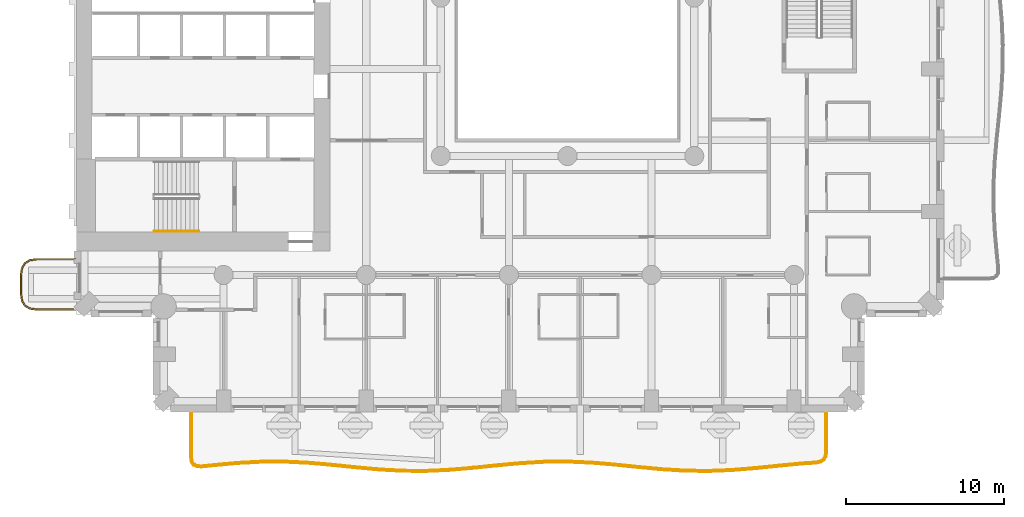
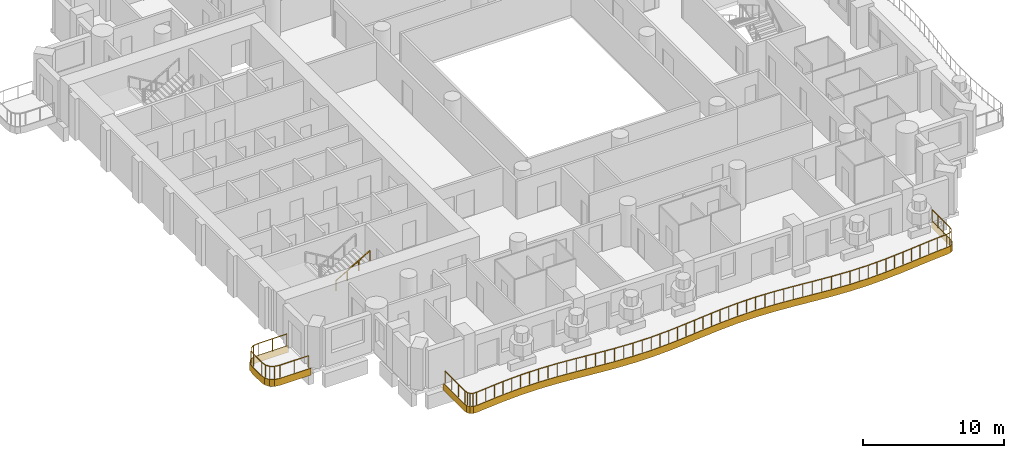
# One storey, part 13 of 20: 3 railings, 2 coverings.
"""IFC4 building model written with IfcOpenShell, lengths in metres."""

from ifc_helpers import new_model, si_unit, direction, frame, origin, origin_2d, place, context, subcontext, project, spatial, polyline, rectangle, outline, extrude, material, layer, layer_set, type_object, element, save


model = new_model("IFC4")

# Units and contexts
model_context = context("Model", 3, precision=1e-05, world=origin(), true_north=direction((0.0, 1.0)))
body_context = subcontext(model_context, "Body", "Model", "MODEL_VIEW")
ifc_project = project(units=[si_unit("LENGTHUNIT", "METRE"), si_unit("AREAUNIT", "SQUARE_METRE"), si_unit("VOLUMEUNIT", "CUBIC_METRE"), si_unit("PLANEANGLEUNIT", "RADIAN"), si_unit("MASSUNIT", "GRAM", prefix="KILO")], contexts=[model_context])

# Site, building, storey
site_placement = place(None, origin())
site = spatial("IfcSite", under=ifc_project, at=site_placement, CompositionType="ELEMENT")
building_placement = place(site_placement, origin())
building = spatial("IfcBuilding", under=site, at=building_placement, Name="Cypress Arch Tower", CompositionType="ELEMENT")
storey_placement = place(building_placement, frame((0.0, 0.0, 80.699951171875)))
storey = spatial("IfcBuildingStorey", under=building, at=storey_placement, Name="L14", CompositionType="ELEMENT", Elevation=80.699951171875)

# Coverings
ifc_material_1 = material(Name="White powder-coated aluminium fascia", Category="aluminium")
ifc_layer = layer(ifc_material_1, 0.050048828125)
ifc_layer_set = layer_set([ifc_layer], Name="Balcony fascia BF50")
covering_type = type_object("IfcCoveringType", Name="Balcony fascia BF50", PredefinedType="CLADDING", material=ifc_layer_set)
covering_1_placement = place(storey_placement, frame((0.0, 0.0, -0.599853515625)))
element("IfcCovering", 1, at=covering_1_placement, inside=storey, type_object=covering_type, Name="Balcony fascia L14-A00W1", PredefinedType="CLADDING", context=body_context, shape_type="SweptSolid", body=[
    extrude(outline(polyline([(-32.503662109375, -19.75), (-32.95458984375, -19.685546875), (-33.286376953125, -19.486328125), (-33.485595703125, -19.154541015625), (-33.550048828125, -18.70361328125), (-33.550048828125, -17.496337890625), (-33.485595703125, -17.04541015625), (-33.286376953125, -16.713623046875), (-32.95458984375, -16.514404296875), (-32.503662109375, -16.449951171875), (-30.0009765625, -16.449951171875), (-30.0009765625, -16.5), (-32.5, -16.5), (-32.9375, -16.5625), (-33.25, -16.75), (-33.4375, -17.0625), (-33.5, -17.5), (-33.5, -18.699951171875), (-33.4375, -19.137451171875), (-33.25, -19.449951171875), (-32.9375, -19.637451171875), (-32.5, -19.699951171875), (-30.0009765625, -19.699951171875), (-30.0009765625, -19.75), (-32.503662109375, -19.75)])), origin(), (0.0, 0.0, 1.0), 0.599853515625),
])
covering_2_placement = place(storey_placement, frame((0.0, 0.0, -0.599853515625)))
element("IfcCovering", 2, at=covering_2_placement, inside=storey, type_object=covering_type, Name="Balcony fascia L14-A03", PredefinedType="CLADDING", context=body_context, shape_type="SweptSolid", body=[
    extrude(outline(polyline([(17.39990234375, -28.65771484375), (17.3564453125, -28.96630859375), (17.220458984375, -29.2021484375), (16.99365234375, -29.352783203125), (16.688232421875, -29.416015625), (15.868896484375, -29.468017578125), (14.384521484375, -29.610107421875), (12.899169921875, -29.7626953125), (11.412353515625, -29.8857421875), (9.9248046875, -29.94677734375), (8.43701171875, -29.9296875), (6.949951171875, -29.8388671875), (5.463623046875, -29.698486328125), (3.978759765625, -29.545654296875), (2.494873046875, -29.419921875), (1.011962890625, -29.354736328125), (-0.470458984375, -29.3671875), (-1.95361328125, -29.45361328125), (-3.437744140625, -29.591796875), (-4.923095703125, -29.745361328125), (-6.40966796875, -29.873779296875), (-7.897216796875, -29.943359375), (-9.384765625, -29.935791015625), (-10.8720703125, -29.85302734375), (-12.358642578125, -29.716796875), (-13.84375, -29.563232421875), (-15.327392578125, -29.432373046875), (-16.810546875, -29.358642578125), (-18.29296875, -29.361572265625), (-19.776123046875, -29.43994140625), (-21.260009765625, -29.57373046875), (-22.080078125, -29.658447265625), (-22.38671875, -29.646240234375), (-22.61767578125, -29.531005859375), (-22.756103515625, -29.313232421875), (-22.800048828125, -29.00927734375), (-22.800048828125, -26.0009765625), (-22.75, -26.0009765625), (-22.75, -29.005859375), (-22.708251953125, -29.29541015625), (-22.5830078125, -29.492431640625), (-22.3740234375, -29.5966796875), (-22.081787109375, -29.6083984375), (-21.264892578125, -29.52392578125), (-19.779541015625, -29.39013671875), (-18.29443359375, -29.3115234375), (-16.809326171875, -29.30859375), (-15.323974609375, -29.382568359375), (-13.8388671875, -29.513427734375), (-12.353759765625, -29.6669921875), (-10.868408203125, -29.80322265625), (-9.38330078125, -29.8857421875), (-7.898193359375, -29.893310546875), (-6.412841796875, -29.82373046875), (-4.927734375, -29.695556640625), (-3.442626953125, -29.5419921875), (-1.95751953125, -29.40380859375), (-0.47216796875, -29.317138671875), (1.012939453125, -29.3046875), (2.498046875, -29.3701171875), (3.9833984375, -29.495849609375), (5.468505859375, -29.64892578125), (6.95361328125, -29.7890625), (8.43896484375, -29.879638671875), (9.924072265625, -29.896728515625), (11.4091796875, -29.835693359375), (12.89453125, -29.712890625), (14.379638671875, -29.560302734375), (15.86474609375, -29.418212890625), (16.681640625, -29.3662109375), (16.97412109375, -29.305908203125), (17.182861328125, -29.1669921875), (17.308349609375, -28.94970703125), (17.35009765625, -28.654052734375), (17.35009765625, -26.0009765625), (17.39990234375, -26.0009765625), (17.39990234375, -28.65771484375)])), origin(), (0.0, 0.0, 1.0), 0.599853515625),
])

# Railings
ifc_material_2 = material(Name="Powder-coated steel posts and rods, 100 mm clear between rods", Category="steel")
railing_type_1 = type_object("IfcRailingType", Name="Balcony guard GR1100", PredefinedType="GUARDRAIL", material=ifc_material_2)
railing_1_placement = place(storey_placement, frame((-30.14990234375, -19.64990234375, 0.0)))
element("IfcRailing", 3, at=railing_1_placement, inside=storey, type_object=railing_type_1, Name="Balcony guard L14-A00W1", PredefinedType="GUARDRAIL", context=body_context, shape_type="SweptSolid", body=[
    extrude(rectangle(XDim=0.050048828125, YDim=0.050048828125, at=origin_2d()), frame((0.0, 0.0, 1.0751953125), z_axis=(-1.0, 0.0, 0.0), x_axis=(0.0, -1.0, 0.0)), (0.0, 0.0, 1.0), 2.346435546875),
    extrude(rectangle(XDim=0.050048828125, YDim=0.050048828125, at=origin_2d()), frame((-2.346435546875, 0.0, 1.0751953125), z_axis=(-0.989960888959, 0.141341566184, 0.0), x_axis=(-0.141341566184, -0.989960888959, 0.0)), (0.0, 0.0, 1.0), 0.428466796875),
    extrude(rectangle(XDim=0.050048828125, YDim=0.050048828125, at=origin_2d()), frame((-2.7705078125, 0.060546875, 1.0751953125), z_axis=(-0.857681904839, 0.514180659021, 0.0), x_axis=(-0.514180659021, -0.857681904839, 0.0)), (0.0, 0.0, 1.0), 0.341796875),
    extrude(rectangle(XDim=0.050048828125, YDim=0.050048828125, at=origin_2d()), frame((-3.063720703125, 0.236328125, 1.0751953125), z_axis=(-0.514180659021, 0.857681904839, 0.0), x_axis=(-0.857681904839, -0.514180659021, 0.0)), (0.0, 0.0, 1.0), 0.341796875),
    extrude(rectangle(XDim=0.050048828125, YDim=0.050048828125, at=origin_2d()), frame((-3.239501953125, 0.529541015625, 1.0751953125), z_axis=(-0.141421356237, 0.989949493661, 0.0), x_axis=(-0.989949493661, -0.141421356237, 0.0)), (0.0, 0.0, 1.0), 0.42822265625),
    extrude(rectangle(XDim=0.050048828125, YDim=0.050048828125, at=origin_2d()), frame((-3.300048828125, 0.953369140625, 1.0751953125), z_axis=(0.0, 1.0, 0.0), x_axis=(-1.0, 0.0, 0.0)), (0.0, 0.0, 1.0), 1.19287109375),
    extrude(rectangle(XDim=0.050048828125, YDim=0.050048828125, at=origin_2d()), frame((-3.300048828125, 2.146240234375, 1.0751953125), z_axis=(0.141341566184, 0.989960888959, 0.0), x_axis=(-0.989960888959, 0.141341566184, 0.0)), (0.0, 0.0, 1.0), 0.428466796875),
    extrude(rectangle(XDim=0.050048828125, YDim=0.050048828125, at=origin_2d()), frame((-3.239501953125, 2.5703125, 1.0751953125), z_axis=(0.514180659021, 0.857681904839, 0.0), x_axis=(-0.857681904839, 0.514180659021, 0.0)), (0.0, 0.0, 1.0), 0.341796875),
    extrude(rectangle(XDim=0.050048828125, YDim=0.050048828125, at=origin_2d()), frame((-3.063720703125, 2.863525390625, 1.0751953125), z_axis=(0.857681904839, 0.514180659021, 0.0), x_axis=(-0.514180659021, 0.857681904839, 0.0)), (0.0, 0.0, 1.0), 0.341796875),
    extrude(rectangle(XDim=0.050048828125, YDim=0.050048828125, at=origin_2d()), frame((-2.7705078125, 3.039306640625, 1.0751953125), z_axis=(0.989960888959, 0.141341566184, 0.0), x_axis=(-0.141341566184, 0.989960888959, 0.0)), (0.0, 0.0, 1.0), 0.428466796875),
    extrude(rectangle(XDim=0.050048828125, YDim=0.050048828125, at=origin_2d()), frame((-2.346435546875, 3.099853515625, 1.0751953125), z_axis=(1.0, 0.0, 0.0), x_axis=(0.0, 1.0, 0.0)), (0.0, 0.0, 1.0), 2.346435546875),
    extrude(rectangle(XDim=0.0400390625, YDim=0.0400390625, at=origin_2d()), origin(), (0.0, 0.0, 1.0), 1.050048828125),
    extrude(rectangle(XDim=0.0400390625, YDim=0.0400390625, at=origin_2d()), frame((-1.17333984375, 0.0, 0.0)), (0.0, 0.0, 1.0), 1.050048828125),
    extrude(rectangle(XDim=0.0400390625, YDim=0.0400390625, at=origin_2d()), frame((-2.346435546875, 0.0, 0.0)), (0.0, 0.0, 1.0), 1.050048828125),
    extrude(rectangle(XDim=0.0400390625, YDim=0.0400390625, at=origin_2d()), frame((-2.7705078125, 0.060546875, 0.0)), (0.0, 0.0, 1.0), 1.050048828125),
    extrude(rectangle(XDim=0.0400390625, YDim=0.0400390625, at=origin_2d()), frame((-3.063720703125, 0.236328125, 0.0)), (0.0, 0.0, 1.0), 1.050048828125),
    extrude(rectangle(XDim=0.0400390625, YDim=0.0400390625, at=origin_2d()), frame((-3.239501953125, 0.529541015625, 0.0)), (0.0, 0.0, 1.0), 1.050048828125),
    extrude(rectangle(XDim=0.0400390625, YDim=0.0400390625, at=origin_2d()), frame((-3.300048828125, 0.953369140625, 0.0)), (0.0, 0.0, 1.0), 1.050048828125),
    extrude(rectangle(XDim=0.0400390625, YDim=0.0400390625, at=origin_2d()), frame((-3.300048828125, 2.146240234375, 0.0)), (0.0, 0.0, 1.0), 1.050048828125),
    extrude(rectangle(XDim=0.0400390625, YDim=0.0400390625, at=origin_2d()), frame((-3.239501953125, 2.5703125, 0.0)), (0.0, 0.0, 1.0), 1.050048828125),
    extrude(rectangle(XDim=0.0400390625, YDim=0.0400390625, at=origin_2d()), frame((-3.063720703125, 2.863525390625, 0.0)), (0.0, 0.0, 1.0), 1.050048828125),
    extrude(rectangle(XDim=0.0400390625, YDim=0.0400390625, at=origin_2d()), frame((-2.7705078125, 3.039306640625, 0.0)), (0.0, 0.0, 1.0), 1.050048828125),
    extrude(rectangle(XDim=0.0400390625, YDim=0.0400390625, at=origin_2d()), frame((-2.346435546875, 3.099853515625, 0.0)), (0.0, 0.0, 1.0), 1.050048828125),
    extrude(rectangle(XDim=0.0400390625, YDim=0.0400390625, at=origin_2d()), frame((-1.17333984375, 3.099853515625, 0.0)), (0.0, 0.0, 1.0), 1.050048828125),
    extrude(rectangle(XDim=0.0400390625, YDim=0.0400390625, at=origin_2d()), frame((0.0, 3.099853515625, 0.0)), (0.0, 0.0, 1.0), 1.050048828125),
])
railing_2_placement = place(storey_placement, frame((17.300048828125, -26.14990234375, 0.0)))
element("IfcRailing", 4, at=railing_2_placement, inside=storey, type_object=railing_type_1, Name="Balcony guard L14-A03", PredefinedType="GUARDRAIL", context=body_context, shape_type="SweptSolid", body=[
    extrude(rectangle(XDim=0.050048828125, YDim=0.050048828125, at=origin_2d()), frame((0.0, 0.0, 1.0751953125), z_axis=(0.0, -1.0, 0.0), x_axis=(1.0, 0.0, 0.0)), (0.0, 0.0, 1.0), 2.500732421875),
    extrude(rectangle(XDim=0.050048828125, YDim=0.050048828125, at=origin_2d()), frame((0.0, -2.500732421875, 1.0751953125), z_axis=(-0.140343027142, -0.990102941483, 0.0), x_axis=(0.990102941483, -0.140343027142, 0.0)), (0.0, 0.0, 1.0), 0.285400390625),
    extrude(rectangle(XDim=0.050048828125, YDim=0.050048828125, at=origin_2d()), frame((-0.0400390625, -2.783203125, 1.0751953125), z_axis=(-0.499230902886, -0.866468987099, 0.0), x_axis=(0.866468987099, -0.499230902886, 0.0)), (0.0, 0.0, 1.0), 0.229248046875),
    extrude(rectangle(XDim=0.050048828125, YDim=0.050048828125, at=origin_2d()), frame((-0.154541015625, -2.98193359375, 1.0751953125), z_axis=(-0.83303104875, -0.553226239272, 0.0), x_axis=(0.553226239272, -0.83303104875, 0.0)), (0.0, 0.0, 1.0), 0.2294921875),
    extrude(rectangle(XDim=0.050048828125, YDim=0.050048828125, at=origin_2d()), frame((-0.345703125, -3.10888671875, 1.0751953125), z_axis=(-0.97920768245, -0.202860332815, 0.0), x_axis=(0.202860332815, -0.97920768245, 0.0)), (0.0, 0.0, 1.0), 0.28515625),
    extrude(rectangle(XDim=0.050048828125, YDim=0.050048828125, at=origin_2d()), frame((-0.625, -3.166748046875, 1.0751953125), z_axis=(-0.997985643799, -0.063440166862, 0.0), x_axis=(0.063440166862, -0.997985643799, 0.0)), (0.0, 0.0, 1.0), 0.81591796875),
    extrude(rectangle(XDim=0.050048828125, YDim=0.050048828125, at=origin_2d()), frame((-1.439208984375, -3.218505859375, 1.0751953125), z_axis=(-0.995460123409, -0.095179528803, 0.0), x_axis=(0.095179528803, -0.995460123409, 0.0)), (0.0, 0.0, 1.0), 1.492919921875),
    extrude(rectangle(XDim=0.050048828125, YDim=0.050048828125, at=origin_2d()), frame((-2.92529296875, -3.360595703125, 1.0751953125), z_axis=(-0.994761413661, -0.102223920345, 0.0), x_axis=(0.102223920345, -0.994761413661, 0.0)), (0.0, 0.0, 1.0), 1.49267578125),
    extrude(rectangle(XDim=0.050048828125, YDim=0.050048828125, at=origin_2d()), frame((-4.41015625, -3.51318359375, 1.0751953125), z_axis=(-0.996591973628, -0.082489018057, 0.0), x_axis=(0.082489018057, -0.996591973628, 0.0)), (0.0, 0.0, 1.0), 1.48876953125),
    extrude(rectangle(XDim=0.050048828125, YDim=0.050048828125, at=origin_2d()), frame((-5.893798828125, -3.635986328125, 1.0751953125), z_axis=(-0.999160787088, -0.040959999339, 0.0), x_axis=(0.040959999339, -0.999160787088, 0.0)), (0.0, 0.0, 1.0), 1.484130859375),
    extrude(rectangle(XDim=0.050048828125, YDim=0.050048828125, at=origin_2d()), frame((-7.376708984375, -3.69677734375, 1.0751953125), z_axis=(-0.999933577342, 0.011525662838, 0.0), x_axis=(-0.011525662838, -0.999933577342, 0.0)), (0.0, 0.0, 1.0), 1.482666015625),
    extrude(rectangle(XDim=0.050048828125, YDim=0.050048828125, at=origin_2d()), frame((-8.859375, -3.6796875, 1.0751953125), z_axis=(-0.998150413324, 0.060792700071, 0.0), x_axis=(-0.060792700071, -0.998150413324, 0.0)), (0.0, 0.0, 1.0), 1.48583984375),
    extrude(rectangle(XDim=0.050048828125, YDim=0.050048828125, at=origin_2d()), frame((-10.342529296875, -3.58935546875, 1.0751953125), z_axis=(-0.995571697848, 0.09400528945, 0.0), x_axis=(-0.09400528945, -0.995571697848, 0.0)), (0.0, 0.0, 1.0), 1.49072265625),
    extrude(rectangle(XDim=0.050048828125, YDim=0.050048828125, at=origin_2d()), frame((-11.82666015625, -3.44921875, 1.0751953125), z_axis=(-0.994731536319, 0.1025142461, 0.0), x_axis=(-0.1025142461, -0.994731536319, 0.0)), (0.0, 0.0, 1.0), 1.4931640625),
    extrude(rectangle(XDim=0.050048828125, YDim=0.050048828125, at=origin_2d()), frame((-13.31201171875, -3.296142578125, 1.0751953125), z_axis=(-0.99642853827, 0.084440322836, 0.0), x_axis=(-0.084440322836, -0.99642853827, 0.0)), (0.0, 0.0, 1.0), 1.491943359375),
    extrude(rectangle(XDim=0.050048828125, YDim=0.050048828125, at=origin_2d()), frame((-14.798583984375, -3.170166015625, 1.0751953125), z_axis=(-0.999041250277, 0.043778764783, 0.0), x_axis=(-0.043778764783, -0.999041250277, 0.0)), (0.0, 0.0, 1.0), 1.489013671875),
    extrude(rectangle(XDim=0.050048828125, YDim=0.050048828125, at=origin_2d()), frame((-16.2861328125, -3.10498046875, 1.0751953125), z_axis=(-0.999966342397, -0.008204515445, 0.0), x_axis=(0.008204515445, -0.999966342397, 0.0)), (0.0, 0.0, 1.0), 1.48779296875),
    extrude(rectangle(XDim=0.050048828125, YDim=0.050048828125, at=origin_2d()), frame((-17.77392578125, -3.1171875, 1.0751953125), z_axis=(-0.998296902003, -0.058337770373, 0.0), x_axis=(0.058337770373, -0.998296902003, 0.0)), (0.0, 0.0, 1.0), 1.48974609375),
    extrude(rectangle(XDim=0.050048828125, YDim=0.050048828125, at=origin_2d()), frame((-19.26123046875, -3.2041015625, 1.0751953125), z_axis=(-0.995706125545, -0.092570576061, 0.0), x_axis=(0.092570576061, -0.995706125545, 0.0)), (0.0, 0.0, 1.0), 1.49267578125),
    extrude(rectangle(XDim=0.050048828125, YDim=0.050048828125, at=origin_2d()), frame((-20.74755859375, -3.34228515625, 1.0751953125), z_axis=(-0.99469640988, -0.10285451945, 0.0), x_axis=(0.10285451945, -0.99469640988, 0.0)), (0.0, 0.0, 1.0), 1.492919921875),
    extrude(rectangle(XDim=0.050048828125, YDim=0.050048828125, at=origin_2d()), frame((-22.232666015625, -3.495849609375, 1.0751953125), z_axis=(-0.996289030279, -0.086070715961, 0.0), x_axis=(0.086070715961, -0.996289030279, 0.0)), (0.0, 0.0, 1.0), 1.4892578125),
    extrude(rectangle(XDim=0.050048828125, YDim=0.050048828125, at=origin_2d()), frame((-23.71630859375, -3.6240234375, 1.0751953125), z_axis=(-0.998901009946, -0.046869737872, 0.0), x_axis=(0.046869737872, -0.998901009946, 0.0)), (0.0, 0.0, 1.0), 1.484619140625),
    extrude(rectangle(XDim=0.050048828125, YDim=0.050048828125, at=origin_2d()), frame((-25.19921875, -3.693603515625, 1.0751953125), z_axis=(-0.999986971982, 0.00510449467, 0.0), x_axis=(-0.00510449467, -0.999986971982, 0.0)), (0.0, 0.0, 1.0), 1.482666015625),
    extrude(rectangle(XDim=0.050048828125, YDim=0.050048828125, at=origin_2d()), frame((-26.681884765625, -3.68603515625, 1.0751953125), z_axis=(-0.998455291152, 0.055561061641, 0.0), x_axis=(-0.055561061641, -0.998455291152, 0.0)), (0.0, 0.0, 1.0), 1.485107421875),
    extrude(rectangle(XDim=0.050048828125, YDim=0.050048828125, at=origin_2d()), frame((-28.164794921875, -3.603515625, 1.0751953125), z_axis=(-0.995828502497, 0.091244690885, 0.0), x_axis=(-0.091244690885, -0.995828502497, 0.0)), (0.0, 0.0, 1.0), 1.490234375),
    extrude(rectangle(XDim=0.050048828125, YDim=0.050048828125, at=origin_2d()), frame((-29.64892578125, -3.467529296875, 1.0751953125), z_axis=(-0.99468140225, 0.102999553487, 0.0), x_axis=(-0.102999553487, -0.99468140225, 0.0)), (0.0, 0.0, 1.0), 1.493408203125),
    extrude(rectangle(XDim=0.050048828125, YDim=0.050048828125, at=origin_2d()), frame((-31.13427734375, -3.313720703125, 1.0751953125), z_axis=(-0.996132377683, 0.087865158807, 0.0), x_axis=(-0.087865158807, -0.996132377683, 0.0)), (0.0, 0.0, 1.0), 1.4921875),
    extrude(rectangle(XDim=0.050048828125, YDim=0.050048828125, at=origin_2d()), frame((-32.62060546875, -3.1826171875, 1.0751953125), z_axis=(-0.998773910322, 0.049504303449, 0.0), x_axis=(-0.049504303449, -0.998773910322, 0.0)), (0.0, 0.0, 1.0), 1.4892578125),
    extrude(rectangle(XDim=0.050048828125, YDim=0.050048828125, at=origin_2d()), frame((-34.108154296875, -3.10888671875, 1.0751953125), z_axis=(-0.999998370894, -0.001805051211, 0.0), x_axis=(0.001805051211, -0.999998370894, 0.0)), (0.0, 0.0, 1.0), 1.48779296875),
    extrude(rectangle(XDim=0.050048828125, YDim=0.050048828125, at=origin_2d()), frame((-35.595947265625, -3.111572265625, 1.0751953125), z_axis=(-0.998606030955, -0.052782524945, 0.0), x_axis=(0.052782524945, -0.998606030955, 0.0)), (0.0, 0.0, 1.0), 1.489501953125),
    extrude(rectangle(XDim=0.050048828125, YDim=0.050048828125, at=origin_2d()), frame((-37.083251953125, -3.190185546875, 1.0751953125), z_axis=(-0.995958649878, -0.089812959721, 0.0), x_axis=(0.089812959721, -0.995958649878, 0.0)), (0.0, 0.0, 1.0), 1.492431640625),
    extrude(rectangle(XDim=0.050048828125, YDim=0.050048828125, at=origin_2d()), frame((-38.569580078125, -3.32421875, 1.0751953125), z_axis=(-0.99468547214, -0.102960242391, 0.0), x_axis=(0.102960242391, -0.99468547214, 0.0)), (0.0, 0.0, 1.0), 0.818115234375),
    extrude(rectangle(XDim=0.050048828125, YDim=0.050048828125, at=origin_2d()), frame((-39.38330078125, -3.408447265625, 1.0751953125), z_axis=(-0.999185469505, 0.040353407899, 0.0), x_axis=(-0.040353407899, -0.999185469505, 0.0)), (0.0, 0.0, 1.0), 0.2783203125),
    extrude(rectangle(XDim=0.050048828125, YDim=0.050048828125, at=origin_2d()), frame((-39.661376953125, -3.397216796875, 1.0751953125), z_axis=(-0.89466096696, 0.44674573775, 0.0), x_axis=(-0.44674573775, -0.89466096696, 0.0)), (0.0, 0.0, 1.0), 0.208740234375),
    extrude(rectangle(XDim=0.050048828125, YDim=0.050048828125, at=origin_2d()), frame((-39.84814453125, -3.303955078125, 1.0751953125), z_axis=(-0.536497284338, 0.843902046388, 0.0), x_axis=(-0.843902046388, -0.536497284338, 0.0)), (0.0, 0.0, 1.0), 0.208984375),
    extrude(rectangle(XDim=0.050048828125, YDim=0.050048828125, at=origin_2d()), frame((-39.960205078125, -3.127685546875, 1.0751953125), z_axis=(-0.143018061021, 0.98972007872, 0.0), x_axis=(-0.98972007872, -0.143018061021, 0.0)), (0.0, 0.0, 1.0), 0.2783203125),
    extrude(rectangle(XDim=0.050048828125, YDim=0.050048828125, at=origin_2d()), frame((-40.0, -2.852294921875, 1.0751953125), z_axis=(0.0, 1.0, 0.0), x_axis=(-1.0, 0.0, 0.0)), (0.0, 0.0, 1.0), 2.852294921875),
    extrude(rectangle(XDim=0.0400390625, YDim=0.0400390625, at=origin_2d()), origin(), (0.0, 0.0, 1.0), 1.050048828125),
    extrude(rectangle(XDim=0.0400390625, YDim=0.0400390625, at=origin_2d()), frame((0.0, -0.83349609375, 0.0)), (0.0, 0.0, 1.0), 1.050048828125),
    extrude(rectangle(XDim=0.0400390625, YDim=0.0400390625, at=origin_2d()), frame((0.0, -1.667236328125, 0.0)), (0.0, 0.0, 1.0), 1.050048828125),
    extrude(rectangle(XDim=0.0400390625, YDim=0.0400390625, at=origin_2d()), frame((0.0, -2.500732421875, 0.0)), (0.0, 0.0, 1.0), 1.050048828125),
    extrude(rectangle(XDim=0.0400390625, YDim=0.0400390625, at=origin_2d()), frame((-0.0400390625, -2.783203125, 0.0)), (0.0, 0.0, 1.0), 1.050048828125),
    extrude(rectangle(XDim=0.0400390625, YDim=0.0400390625, at=origin_2d()), frame((-0.154541015625, -2.98193359375, 0.0)), (0.0, 0.0, 1.0), 1.050048828125),
    extrude(rectangle(XDim=0.0400390625, YDim=0.0400390625, at=origin_2d()), frame((-0.345703125, -3.10888671875, 0.0)), (0.0, 0.0, 1.0), 1.050048828125),
    extrude(rectangle(XDim=0.0400390625, YDim=0.0400390625, at=origin_2d()), frame((-0.625, -3.166748046875, 0.0)), (0.0, 0.0, 1.0), 1.050048828125),
    extrude(rectangle(XDim=0.0400390625, YDim=0.0400390625, at=origin_2d()), frame((-1.439208984375, -3.218505859375, 0.0)), (0.0, 0.0, 1.0), 1.050048828125),
    extrude(rectangle(XDim=0.0400390625, YDim=0.0400390625, at=origin_2d()), frame((-2.18212890625, -3.28955078125, 0.0)), (0.0, 0.0, 1.0), 1.050048828125),
    extrude(rectangle(XDim=0.0400390625, YDim=0.0400390625, at=origin_2d()), frame((-2.92529296875, -3.360595703125, 0.0)), (0.0, 0.0, 1.0), 1.050048828125),
    extrude(rectangle(XDim=0.0400390625, YDim=0.0400390625, at=origin_2d()), frame((-3.667724609375, -3.43701171875, 0.0)), (0.0, 0.0, 1.0), 1.050048828125),
    extrude(rectangle(XDim=0.0400390625, YDim=0.0400390625, at=origin_2d()), frame((-4.41015625, -3.51318359375, 0.0)), (0.0, 0.0, 1.0), 1.050048828125),
    extrude(rectangle(XDim=0.0400390625, YDim=0.0400390625, at=origin_2d()), frame((-5.15185546875, -3.57470703125, 0.0)), (0.0, 0.0, 1.0), 1.050048828125),
    extrude(rectangle(XDim=0.0400390625, YDim=0.0400390625, at=origin_2d()), frame((-5.893798828125, -3.635986328125, 0.0)), (0.0, 0.0, 1.0), 1.050048828125),
    extrude(rectangle(XDim=0.0400390625, YDim=0.0400390625, at=origin_2d()), frame((-6.63525390625, -3.66650390625, 0.0)), (0.0, 0.0, 1.0), 1.050048828125),
    extrude(rectangle(XDim=0.0400390625, YDim=0.0400390625, at=origin_2d()), frame((-7.376708984375, -3.69677734375, 0.0)), (0.0, 0.0, 1.0), 1.050048828125),
    extrude(rectangle(XDim=0.0400390625, YDim=0.0400390625, at=origin_2d()), frame((-8.1181640625, -3.688232421875, 0.0)), (0.0, 0.0, 1.0), 1.050048828125),
    extrude(rectangle(XDim=0.0400390625, YDim=0.0400390625, at=origin_2d()), frame((-8.859375, -3.6796875, 0.0)), (0.0, 0.0, 1.0), 1.050048828125),
    extrude(rectangle(XDim=0.0400390625, YDim=0.0400390625, at=origin_2d()), frame((-9.60107421875, -3.634521484375, 0.0)), (0.0, 0.0, 1.0), 1.050048828125),
    extrude(rectangle(XDim=0.0400390625, YDim=0.0400390625, at=origin_2d()), frame((-10.342529296875, -3.58935546875, 0.0)), (0.0, 0.0, 1.0), 1.050048828125),
    extrude(rectangle(XDim=0.0400390625, YDim=0.0400390625, at=origin_2d()), frame((-11.08447265625, -3.519287109375, 0.0)), (0.0, 0.0, 1.0), 1.050048828125),
    extrude(rectangle(XDim=0.0400390625, YDim=0.0400390625, at=origin_2d()), frame((-11.82666015625, -3.44921875, 0.0)), (0.0, 0.0, 1.0), 1.050048828125),
    extrude(rectangle(XDim=0.0400390625, YDim=0.0400390625, at=origin_2d()), frame((-12.5693359375, -3.37255859375, 0.0)), (0.0, 0.0, 1.0), 1.050048828125),
    extrude(rectangle(XDim=0.0400390625, YDim=0.0400390625, at=origin_2d()), frame((-13.31201171875, -3.296142578125, 0.0)), (0.0, 0.0, 1.0), 1.050048828125),
    extrude(rectangle(XDim=0.0400390625, YDim=0.0400390625, at=origin_2d()), frame((-14.05517578125, -3.233154296875, 0.0)), (0.0, 0.0, 1.0), 1.050048828125),
    extrude(rectangle(XDim=0.0400390625, YDim=0.0400390625, at=origin_2d()), frame((-14.798583984375, -3.170166015625, 0.0)), (0.0, 0.0, 1.0), 1.050048828125),
    extrude(rectangle(XDim=0.0400390625, YDim=0.0400390625, at=origin_2d()), frame((-15.54248046875, -3.1376953125, 0.0)), (0.0, 0.0, 1.0), 1.050048828125),
    extrude(rectangle(XDim=0.0400390625, YDim=0.0400390625, at=origin_2d()), frame((-16.2861328125, -3.10498046875, 0.0)), (0.0, 0.0, 1.0), 1.050048828125),
    extrude(rectangle(XDim=0.0400390625, YDim=0.0400390625, at=origin_2d()), frame((-17.030029296875, -3.111083984375, 0.0)), (0.0, 0.0, 1.0), 1.050048828125),
    extrude(rectangle(XDim=0.0400390625, YDim=0.0400390625, at=origin_2d()), frame((-17.77392578125, -3.1171875, 0.0)), (0.0, 0.0, 1.0), 1.050048828125),
    extrude(rectangle(XDim=0.0400390625, YDim=0.0400390625, at=origin_2d()), frame((-18.517578125, -3.16064453125, 0.0)), (0.0, 0.0, 1.0), 1.050048828125),
    extrude(rectangle(XDim=0.0400390625, YDim=0.0400390625, at=origin_2d()), frame((-19.26123046875, -3.2041015625, 0.0)), (0.0, 0.0, 1.0), 1.050048828125),
    extrude(rectangle(XDim=0.0400390625, YDim=0.0400390625, at=origin_2d()), frame((-20.00439453125, -3.273193359375, 0.0)), (0.0, 0.0, 1.0), 1.050048828125),
    extrude(rectangle(XDim=0.0400390625, YDim=0.0400390625, at=origin_2d()), frame((-20.74755859375, -3.34228515625, 0.0)), (0.0, 0.0, 1.0), 1.050048828125),
    extrude(rectangle(XDim=0.0400390625, YDim=0.0400390625, at=origin_2d()), frame((-21.490234375, -3.4189453125, 0.0)), (0.0, 0.0, 1.0), 1.050048828125),
    extrude(rectangle(XDim=0.0400390625, YDim=0.0400390625, at=origin_2d()), frame((-22.232666015625, -3.495849609375, 0.0)), (0.0, 0.0, 1.0), 1.050048828125),
    extrude(rectangle(XDim=0.0400390625, YDim=0.0400390625, at=origin_2d()), frame((-22.974609375, -3.56005859375, 0.0)), (0.0, 0.0, 1.0), 1.050048828125),
    extrude(rectangle(XDim=0.0400390625, YDim=0.0400390625, at=origin_2d()), frame((-23.71630859375, -3.6240234375, 0.0)), (0.0, 0.0, 1.0), 1.050048828125),
    extrude(rectangle(XDim=0.0400390625, YDim=0.0400390625, at=origin_2d()), frame((-24.457763671875, -3.65869140625, 0.0)), (0.0, 0.0, 1.0), 1.050048828125),
    extrude(rectangle(XDim=0.0400390625, YDim=0.0400390625, at=origin_2d()), frame((-25.19921875, -3.693603515625, 0.0)), (0.0, 0.0, 1.0), 1.050048828125),
    extrude(rectangle(XDim=0.0400390625, YDim=0.0400390625, at=origin_2d()), frame((-25.9404296875, -3.68994140625, 0.0)), (0.0, 0.0, 1.0), 1.050048828125),
    extrude(rectangle(XDim=0.0400390625, YDim=0.0400390625, at=origin_2d()), frame((-26.681884765625, -3.68603515625, 0.0)), (0.0, 0.0, 1.0), 1.050048828125),
    extrude(rectangle(XDim=0.0400390625, YDim=0.0400390625, at=origin_2d()), frame((-27.42333984375, -3.644775390625, 0.0)), (0.0, 0.0, 1.0), 1.050048828125),
    extrude(rectangle(XDim=0.0400390625, YDim=0.0400390625, at=origin_2d()), frame((-28.164794921875, -3.603515625, 0.0)), (0.0, 0.0, 1.0), 1.050048828125),
    extrude(rectangle(XDim=0.0400390625, YDim=0.0400390625, at=origin_2d()), frame((-28.90673828125, -3.53564453125, 0.0)), (0.0, 0.0, 1.0), 1.050048828125),
    extrude(rectangle(XDim=0.0400390625, YDim=0.0400390625, at=origin_2d()), frame((-29.64892578125, -3.467529296875, 0.0)), (0.0, 0.0, 1.0), 1.050048828125),
    extrude(rectangle(XDim=0.0400390625, YDim=0.0400390625, at=origin_2d()), frame((-30.3916015625, -3.390625, 0.0)), (0.0, 0.0, 1.0), 1.050048828125),
    extrude(rectangle(XDim=0.0400390625, YDim=0.0400390625, at=origin_2d()), frame((-31.13427734375, -3.313720703125, 0.0)), (0.0, 0.0, 1.0), 1.050048828125),
    extrude(rectangle(XDim=0.0400390625, YDim=0.0400390625, at=origin_2d()), frame((-31.87744140625, -3.248046875, 0.0)), (0.0, 0.0, 1.0), 1.050048828125),
    extrude(rectangle(XDim=0.0400390625, YDim=0.0400390625, at=origin_2d()), frame((-32.62060546875, -3.1826171875, 0.0)), (0.0, 0.0, 1.0), 1.050048828125),
    extrude(rectangle(XDim=0.0400390625, YDim=0.0400390625, at=origin_2d()), frame((-33.3642578125, -3.145751953125, 0.0)), (0.0, 0.0, 1.0), 1.050048828125),
    extrude(rectangle(XDim=0.0400390625, YDim=0.0400390625, at=origin_2d()), frame((-34.108154296875, -3.10888671875, 0.0)), (0.0, 0.0, 1.0), 1.050048828125),
    extrude(rectangle(XDim=0.0400390625, YDim=0.0400390625, at=origin_2d()), frame((-34.85205078125, -3.1103515625, 0.0)), (0.0, 0.0, 1.0), 1.050048828125),
    extrude(rectangle(XDim=0.0400390625, YDim=0.0400390625, at=origin_2d()), frame((-35.595947265625, -3.111572265625, 0.0)), (0.0, 0.0, 1.0), 1.050048828125),
    extrude(rectangle(XDim=0.0400390625, YDim=0.0400390625, at=origin_2d()), frame((-36.339599609375, -3.15087890625, 0.0)), (0.0, 0.0, 1.0), 1.050048828125),
    extrude(rectangle(XDim=0.0400390625, YDim=0.0400390625, at=origin_2d()), frame((-37.083251953125, -3.190185546875, 0.0)), (0.0, 0.0, 1.0), 1.050048828125),
    extrude(rectangle(XDim=0.0400390625, YDim=0.0400390625, at=origin_2d()), frame((-37.826416015625, -3.25732421875, 0.0)), (0.0, 0.0, 1.0), 1.050048828125),
    extrude(rectangle(XDim=0.0400390625, YDim=0.0400390625, at=origin_2d()), frame((-38.569580078125, -3.32421875, 0.0)), (0.0, 0.0, 1.0), 1.050048828125),
    extrude(rectangle(XDim=0.0400390625, YDim=0.0400390625, at=origin_2d()), frame((-39.38330078125, -3.408447265625, 0.0)), (0.0, 0.0, 1.0), 1.050048828125),
    extrude(rectangle(XDim=0.0400390625, YDim=0.0400390625, at=origin_2d()), frame((-39.661376953125, -3.397216796875, 0.0)), (0.0, 0.0, 1.0), 1.050048828125),
    extrude(rectangle(XDim=0.0400390625, YDim=0.0400390625, at=origin_2d()), frame((-39.84814453125, -3.303955078125, 0.0)), (0.0, 0.0, 1.0), 1.050048828125),
    extrude(rectangle(XDim=0.0400390625, YDim=0.0400390625, at=origin_2d()), frame((-39.960205078125, -3.127685546875, 0.0)), (0.0, 0.0, 1.0), 1.050048828125),
    extrude(rectangle(XDim=0.0400390625, YDim=0.0400390625, at=origin_2d()), frame((-40.0, -2.852294921875, 0.0)), (0.0, 0.0, 1.0), 1.050048828125),
    extrude(rectangle(XDim=0.0400390625, YDim=0.0400390625, at=origin_2d()), frame((-40.0, -1.901611328125, 0.0)), (0.0, 0.0, 1.0), 1.050048828125),
    extrude(rectangle(XDim=0.0400390625, YDim=0.0400390625, at=origin_2d()), frame((-40.0, -0.95068359375, 0.0)), (0.0, 0.0, 1.0), 1.050048828125),
    extrude(rectangle(XDim=0.0400390625, YDim=0.0400390625, at=origin_2d()), frame((-40.0, 0.0, 0.0)), (0.0, 0.0, 1.0), 1.050048828125),
])
ifc_material_3 = material(Name="Black powder-coated steel square bar 48 mm", Category="steel")
railing_type_2 = type_object("IfcRailingType", Name="Stair handrail HR1", PredefinedType="HANDRAIL", material=ifc_material_3)
railing_3_placement = place(storey_placement, frame((-25.074951171875, -14.75, 1.963623046875)))
element("IfcRailing", 5, at=railing_3_placement, inside=storey, type_object=railing_type_2, Name="L14 A stair handrail 2", PredefinedType="HANDRAIL", context=body_context, shape_type="SweptSolid", body=[
    extrude(rectangle(XDim=0.048095703125, YDim=0.048095703125, at=origin_2d()), frame((0.0, 0.0, 0.8759765625), z_axis=(0.863360870873, 0.0, 0.504586966384), x_axis=(0.0, 1.0, 0.0)), (0.0, 0.0, 1.0), 3.2431640625),
    extrude(rectangle(XDim=0.0419921875, YDim=0.0419921875, at=origin_2d()), origin(), (0.0, 0.0, 1.0), 0.851806640625),
    extrude(rectangle(XDim=0.0419921875, YDim=0.0419921875, at=origin_2d()), frame((0.933349609375, 0.0, 0.54541015625)), (0.0, 0.0, 1.0), 0.851806640625),
    extrude(rectangle(XDim=0.0419921875, YDim=0.0419921875, at=origin_2d()), frame((1.86669921875, 0.0, 1.091064453125)), (0.0, 0.0, 1.0), 0.851806640625),
    extrude(rectangle(XDim=0.0419921875, YDim=0.0419921875, at=origin_2d()), frame((2.800048828125, 0.0, 1.636474609375)), (0.0, 0.0, 1.0), 0.851806640625),
])

save(model, "model.ifc")
